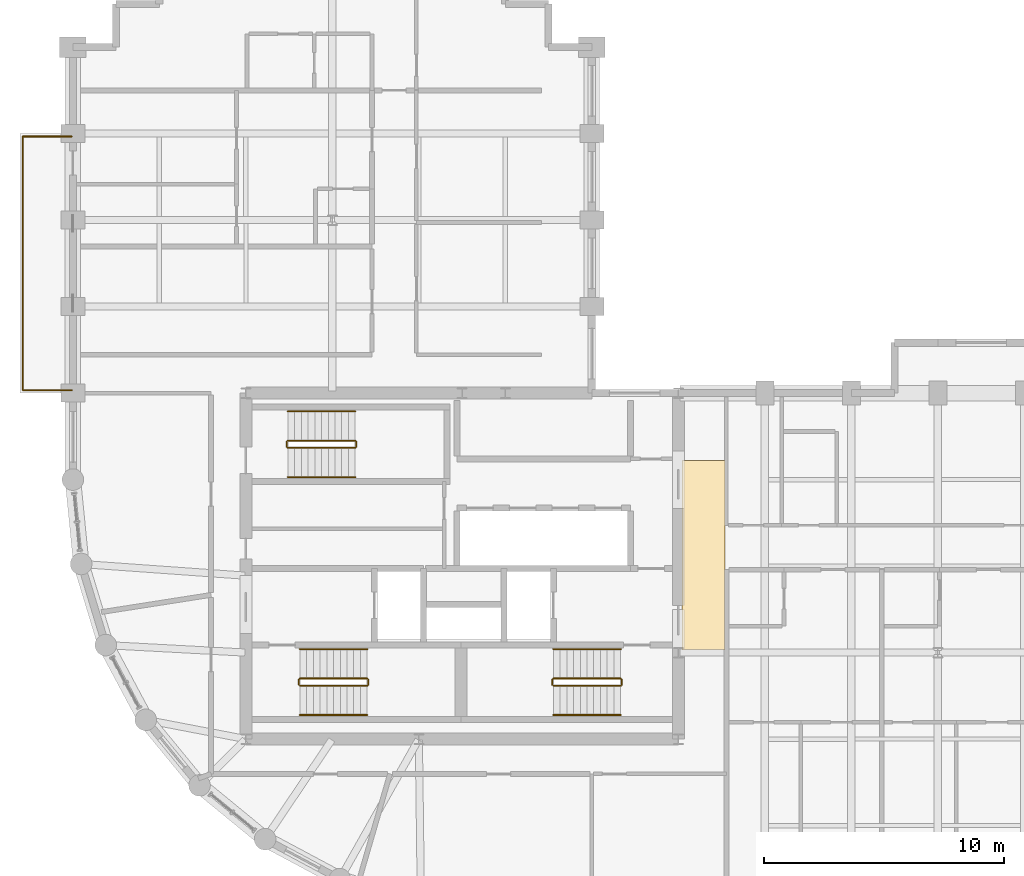
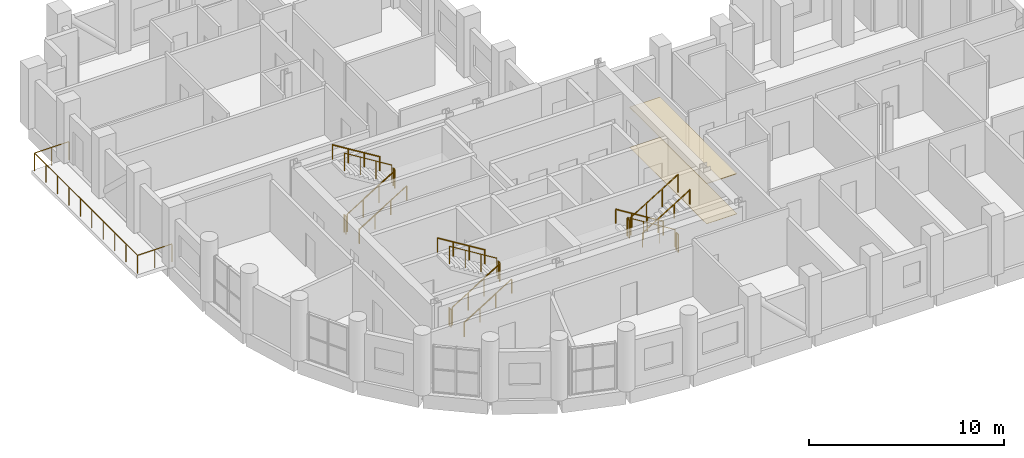
# One storey, part 15 of 15: 21 railings, 2 coverings.
"""IFC4 building model written with IfcOpenShell, lengths in metres."""

from ifc_helpers import new_model, si_unit, direction, frame, origin, origin_2d, place, context, subcontext, project, spatial, polyline, circle, outline, extrude, material, layer, layer_set, type_object, element, save


model = new_model("IFC4")

# Units and contexts
model_context = context("Model", 3, precision=1e-05, world=origin(), true_north=direction((0.0, 1.0)))
body_context = subcontext(model_context, "Body", "Model", "MODEL_VIEW")
ifc_project = project(units=[si_unit("LENGTHUNIT", "METRE"), si_unit("AREAUNIT", "SQUARE_METRE"), si_unit("VOLUMEUNIT", "CUBIC_METRE"), si_unit("PLANEANGLEUNIT", "RADIAN"), si_unit("MASSUNIT", "GRAM", prefix="KILO")], contexts=[model_context])

# Site, building, storey
site_placement = place(None, origin())
site = spatial("IfcSite", under=ifc_project, at=site_placement, CompositionType="ELEMENT")
building_placement = place(site_placement, origin())
building = spatial("IfcBuilding", under=site, at=building_placement, Name="Solnavia Interchange Tower", CompositionType="ELEMENT")
storey_placement = place(building_placement, frame((0.0, 0.0, 146.60009765625)))
storey = spatial("IfcBuildingStorey", under=building, at=storey_placement, Name="L36", CompositionType="ELEMENT", Elevation=146.60009765625)

# Coverings
ifc_material_1 = material(Name="Perforated Mineral-Fibre & Gypsum Ceiling", Category="gypsum")
ifc_layer_1 = layer(ifc_material_1, 0.0400390625)
ifc_layer_set_1 = layer_set([ifc_layer_1], Name="Perforated Mineral-Fibre & Gypsum Ceiling")
covering_type_1 = type_object("IfcCoveringType", Name="Covering-Ceiling-Acoustic40", PredefinedType="CEILING", material=ifc_layer_set_1)
covering_1_placement = place(storey_placement, frame((0.0, 0.0, 2.5)))
element("IfcCovering", 1, at=covering_1_placement, inside=storey, type_object=covering_type_1, Name="CLG-L36-01 Circulation suspended acoustic ceiling", PredefinedType="CEILING", context=body_context, shape_type="SweptSolid", body=[
    extrude(outline(polyline([(32.550048828125, 14.5), (34.35009765625, 14.5), (34.35009765625, 22.39990234375), (32.550048828125, 22.39990234375), (32.550048828125, 14.5)])), origin(), (0.0, 0.0, 1.0), 0.039794921875),
])
ifc_material_2 = material(Name="Engineered European Oak Flooring", Category="wood")
ifc_layer_2 = layer(ifc_material_2, 0.02001953125)
ifc_layer_set_2 = layer_set([ifc_layer_2], Name="Engineered European Oak Flooring")
covering_type_2 = type_object("IfcCoveringType", Name="Covering-Flooring-Timber20", PredefinedType="FLOORING", material=ifc_layer_set_2)
covering_2_placement = place(storey_placement, origin())
element("IfcCovering", 2, at=covering_2_placement, inside=storey, type_object=covering_type_2, Name="FLR-L36-01 Circulation floor finish", PredefinedType="FLOORING", context=body_context, shape_type="SweptSolid", body=[
    extrude(outline(polyline([(32.550048828125, 14.5), (34.35009765625, 14.5), (34.35009765625, 22.39990234375), (32.550048828125, 22.39990234375), (32.550048828125, 14.5)])), origin(), (0.0, 0.0, 1.0), 0.02001953125),
])

# Railings
ifc_material_3 = material(Name="Painted Steel Balustrade", Category="steel")
railing_type_1 = type_object("IfcRailingType", Name="Railing-StairGuard-1100", PredefinedType="GUARDRAIL", material=ifc_material_3)
railing_1_placement = place(storey_placement, frame((16.64990234375, 13.02001953125, 0.172607421875)))
element("IfcRailing", 3, at=railing_1_placement, inside=storey, type_object=railing_type_1, Name="L36 ST-1 stair guard 1", PredefinedType="GUARDRAIL", context=body_context, shape_type="SweptSolid", body=[
    extrude(circle(Radius=0.02392578125, at=origin_2d()), frame((0.0, 0.0, 1.09619140625), z_axis=(0.851089632645, 0.0, 0.525020415988), x_axis=(0.0, 1.0, 0.0)), (0.0, 0.0, 1.0), 3.2900390625),
    extrude(circle(Radius=0.02099609375, at=origin_2d()), origin(), (0.0, 0.0, 1.0), 1.072021484375),
    extrude(circle(Radius=0.02099609375, at=origin_2d()), frame((0.933349609375, 0.0, 0.57568359375)), (0.0, 0.0, 1.0), 1.072021484375),
    extrude(circle(Radius=0.02099609375, at=origin_2d()), frame((1.86669921875, 0.0, 1.151611328125)), (0.0, 0.0, 1.0), 1.072021484375),
    extrude(circle(Radius=0.02099609375, at=origin_2d()), frame((2.800048828125, 0.0, 1.727294921875)), (0.0, 0.0, 1.0), 1.072021484375),
])
railing_2_placement = place(storey_placement, frame((19.5, 13.070068359375, 1.89990234375)))
element("IfcRailing", 4, at=railing_2_placement, inside=storey, type_object=railing_type_1, Name="L36 ST-1 stair guard 2", PredefinedType="GUARDRAIL", context=body_context, shape_type="SweptSolid", body=[
    extrude(circle(Radius=0.02392578125, at=origin_2d()), frame((0.0, 0.0, 1.09619140625), z_axis=(0.0, 1.0, 0.0), x_axis=(-1.0, 0.0, 0.0)), (0.0, 0.0, 1.0), 0.199951171875),
    extrude(circle(Radius=0.02099609375, at=origin_2d()), origin(), (0.0, 0.0, 1.0), 1.072021484375),
    extrude(circle(Radius=0.02099609375, at=origin_2d()), frame((0.0, 0.199951171875, 0.0)), (0.0, 0.0, 1.0), 1.072021484375),
])
railing_3_placement = place(storey_placement, frame((19.449951171875, 13.320068359375, 2.072509765625)))
element("IfcRailing", 5, at=railing_3_placement, inside=storey, type_object=railing_type_1, Name="L36 ST-1 stair guard 3", PredefinedType="GUARDRAIL", context=body_context, shape_type="SweptSolid", body=[
    extrude(circle(Radius=0.02392578125, at=origin_2d()), frame((0.0, 0.0, 1.09619140625), z_axis=(-0.851089632645, 0.0, 0.525020415988), x_axis=(0.0, -1.0, 0.0)), (0.0, 0.0, 1.0), 3.2900390625),
    extrude(circle(Radius=0.02099609375, at=origin_2d()), origin(), (0.0, 0.0, 1.0), 1.072021484375),
    extrude(circle(Radius=0.02099609375, at=origin_2d()), frame((-0.933349609375, 0.0, 0.57568359375)), (0.0, 0.0, 1.0), 1.072021484375),
    extrude(circle(Radius=0.02099609375, at=origin_2d()), frame((-1.86669921875, 0.0, 1.151611328125)), (0.0, 0.0, 1.0), 1.072021484375),
    extrude(circle(Radius=0.02099609375, at=origin_2d()), frame((-2.800048828125, 0.0, 1.727294921875)), (0.0, 0.0, 1.0), 1.072021484375),
])
railing_4_placement = place(storey_placement, frame((16.60009765625, 13.070068359375, 0.0)))
element("IfcRailing", 6, at=railing_4_placement, inside=storey, type_object=railing_type_1, Name="L36 ST-1 stair guard 4", PredefinedType="GUARDRAIL", context=body_context, shape_type="SweptSolid", body=[
    extrude(circle(Radius=0.02392578125, at=origin_2d()), frame((0.0, 0.0, 1.09619140625), z_axis=(0.0, 1.0, 0.0), x_axis=(-1.0, 0.0, 0.0)), (0.0, 0.0, 1.0), 0.199951171875),
    extrude(circle(Radius=0.02099609375, at=origin_2d()), origin(), (0.0, 0.0, 1.0), 1.072021484375),
    extrude(circle(Radius=0.02099609375, at=origin_2d()), frame((0.0, 0.199951171875, 0.0)), (0.0, 0.0, 1.0), 1.072021484375),
])
railing_5_placement = place(storey_placement, frame((30.0, 13.320068359375, 0.172607421875)))
element("IfcRailing", 7, at=railing_5_placement, inside=storey, type_object=railing_type_1, Name="L36 ST-2 stair guard 1", PredefinedType="GUARDRAIL", context=body_context, shape_type="SweptSolid", body=[
    extrude(circle(Radius=0.02392578125, at=origin_2d()), frame((0.0, 0.0, 1.09619140625), z_axis=(-0.851089632645, 0.0, 0.525020415988), x_axis=(0.0, -1.0, 0.0)), (0.0, 0.0, 1.0), 3.2900390625),
    extrude(circle(Radius=0.02099609375, at=origin_2d()), origin(), (0.0, 0.0, 1.0), 1.072021484375),
    extrude(circle(Radius=0.02099609375, at=origin_2d()), frame((-0.933349609375, 0.0, 0.57568359375)), (0.0, 0.0, 1.0), 1.072021484375),
    extrude(circle(Radius=0.02099609375, at=origin_2d()), frame((-1.86669921875, 0.0, 1.151611328125)), (0.0, 0.0, 1.0), 1.072021484375),
    extrude(circle(Radius=0.02099609375, at=origin_2d()), frame((-2.800048828125, 0.0, 1.727294921875)), (0.0, 0.0, 1.0), 1.072021484375),
])
railing_6_placement = place(storey_placement, frame((27.14990234375, 13.27001953125, 1.89990234375)))
element("IfcRailing", 8, at=railing_6_placement, inside=storey, type_object=railing_type_1, Name="L36 ST-2 stair guard 2", PredefinedType="GUARDRAIL", context=body_context, shape_type="SweptSolid", body=[
    extrude(circle(Radius=0.02392578125, at=origin_2d()), frame((0.0, 0.0, 1.09619140625), z_axis=(0.0, -1.0, 0.0), x_axis=(1.0, 0.0, 0.0)), (0.0, 0.0, 1.0), 0.199951171875),
    extrude(circle(Radius=0.02099609375, at=origin_2d()), origin(), (0.0, 0.0, 1.0), 1.072021484375),
    extrude(circle(Radius=0.02099609375, at=origin_2d()), frame((0.0, -0.199951171875, 0.0)), (0.0, 0.0, 1.0), 1.072021484375),
])
railing_7_placement = place(storey_placement, frame((27.199951171875, 13.02001953125, 2.072509765625)))
element("IfcRailing", 9, at=railing_7_placement, inside=storey, type_object=railing_type_1, Name="L36 ST-2 stair guard 3", PredefinedType="GUARDRAIL", context=body_context, shape_type="SweptSolid", body=[
    extrude(circle(Radius=0.02392578125, at=origin_2d()), frame((0.0, 0.0, 1.09619140625), z_axis=(0.851089632645, 0.0, 0.525020415988), x_axis=(0.0, 1.0, 0.0)), (0.0, 0.0, 1.0), 3.2900390625),
    extrude(circle(Radius=0.02099609375, at=origin_2d()), origin(), (0.0, 0.0, 1.0), 1.072021484375),
    extrude(circle(Radius=0.02099609375, at=origin_2d()), frame((0.933349609375, 0.0, 0.57568359375)), (0.0, 0.0, 1.0), 1.072021484375),
    extrude(circle(Radius=0.02099609375, at=origin_2d()), frame((1.86669921875, 0.0, 1.151611328125)), (0.0, 0.0, 1.0), 1.072021484375),
    extrude(circle(Radius=0.02099609375, at=origin_2d()), frame((2.800048828125, 0.0, 1.727294921875)), (0.0, 0.0, 1.0), 1.072021484375),
])
railing_8_placement = place(storey_placement, frame((30.050048828125, 13.27001953125, 0.0)))
element("IfcRailing", 10, at=railing_8_placement, inside=storey, type_object=railing_type_1, Name="L36 ST-2 stair guard 4", PredefinedType="GUARDRAIL", context=body_context, shape_type="SweptSolid", body=[
    extrude(circle(Radius=0.02392578125, at=origin_2d()), frame((0.0, 0.0, 1.09619140625), z_axis=(0.0, -1.0, 0.0), x_axis=(1.0, 0.0, 0.0)), (0.0, 0.0, 1.0), 0.199951171875),
    extrude(circle(Radius=0.02099609375, at=origin_2d()), origin(), (0.0, 0.0, 1.0), 1.072021484375),
    extrude(circle(Radius=0.02099609375, at=origin_2d()), frame((0.0, -0.199951171875, 0.0)), (0.0, 0.0, 1.0), 1.072021484375),
])
railing_9_placement = place(storey_placement, frame((16.14990234375, 22.919921875, 0.172607421875)))
element("IfcRailing", 11, at=railing_9_placement, inside=storey, type_object=railing_type_1, Name="L36 ST-3 stair guard 1", PredefinedType="GUARDRAIL", context=body_context, shape_type="SweptSolid", body=[
    extrude(circle(Radius=0.02392578125, at=origin_2d()), frame((0.0, 0.0, 1.09619140625), z_axis=(0.851089632645, 0.0, 0.525020415988), x_axis=(0.0, 1.0, 0.0)), (0.0, 0.0, 1.0), 3.2900390625),
    extrude(circle(Radius=0.02099609375, at=origin_2d()), origin(), (0.0, 0.0, 1.0), 1.072021484375),
    extrude(circle(Radius=0.02099609375, at=origin_2d()), frame((0.933349609375, 0.0, 0.57568359375)), (0.0, 0.0, 1.0), 1.072021484375),
    extrude(circle(Radius=0.02099609375, at=origin_2d()), frame((1.86669921875, 0.0, 1.151611328125)), (0.0, 0.0, 1.0), 1.072021484375),
    extrude(circle(Radius=0.02099609375, at=origin_2d()), frame((2.800048828125, 0.0, 1.727294921875)), (0.0, 0.0, 1.0), 1.072021484375),
])
railing_10_placement = place(storey_placement, frame((19.0, 22.969970703125, 1.89990234375)))
element("IfcRailing", 12, at=railing_10_placement, inside=storey, type_object=railing_type_1, Name="L36 ST-3 stair guard 2", PredefinedType="GUARDRAIL", context=body_context, shape_type="SweptSolid", body=[
    extrude(circle(Radius=0.02392578125, at=origin_2d()), frame((0.0, 0.0, 1.09619140625), z_axis=(0.0, 1.0, 0.0), x_axis=(-1.0, 0.0, 0.0)), (0.0, 0.0, 1.0), 0.199951171875),
    extrude(circle(Radius=0.02099609375, at=origin_2d()), origin(), (0.0, 0.0, 1.0), 1.072021484375),
    extrude(circle(Radius=0.02099609375, at=origin_2d()), frame((0.0, 0.199951171875, 0.0)), (0.0, 0.0, 1.0), 1.072021484375),
])
railing_11_placement = place(storey_placement, frame((18.949951171875, 23.219970703125, 2.072509765625)))
element("IfcRailing", 13, at=railing_11_placement, inside=storey, type_object=railing_type_1, Name="L36 ST-3 stair guard 3", PredefinedType="GUARDRAIL", context=body_context, shape_type="SweptSolid", body=[
    extrude(circle(Radius=0.02392578125, at=origin_2d()), frame((0.0, 0.0, 1.09619140625), z_axis=(-0.851089632645, 0.0, 0.525020415988), x_axis=(0.0, -1.0, 0.0)), (0.0, 0.0, 1.0), 3.2900390625),
    extrude(circle(Radius=0.02099609375, at=origin_2d()), origin(), (0.0, 0.0, 1.0), 1.072021484375),
    extrude(circle(Radius=0.02099609375, at=origin_2d()), frame((-0.933349609375, 0.0, 0.57568359375)), (0.0, 0.0, 1.0), 1.072021484375),
    extrude(circle(Radius=0.02099609375, at=origin_2d()), frame((-1.86669921875, 0.0, 1.151611328125)), (0.0, 0.0, 1.0), 1.072021484375),
    extrude(circle(Radius=0.02099609375, at=origin_2d()), frame((-2.800048828125, 0.0, 1.727294921875)), (0.0, 0.0, 1.0), 1.072021484375),
])
railing_12_placement = place(storey_placement, frame((16.10009765625, 22.969970703125, 0.0)))
element("IfcRailing", 14, at=railing_12_placement, inside=storey, type_object=railing_type_1, Name="L36 ST-3 stair guard 4", PredefinedType="GUARDRAIL", context=body_context, shape_type="SweptSolid", body=[
    extrude(circle(Radius=0.02392578125, at=origin_2d()), frame((0.0, 0.0, 1.09619140625), z_axis=(0.0, 1.0, 0.0), x_axis=(-1.0, 0.0, 0.0)), (0.0, 0.0, 1.0), 0.199951171875),
    extrude(circle(Radius=0.02099609375, at=origin_2d()), origin(), (0.0, 0.0, 1.0), 1.072021484375),
    extrude(circle(Radius=0.02099609375, at=origin_2d()), frame((0.0, 0.199951171875, 0.0)), (0.0, 0.0, 1.0), 1.072021484375),
])
ifc_material_4 = material(Name="Brushed Stainless Steel", Category="steel")
railing_type_2 = type_object("IfcRailingType", Name="Railing-StairHandrail-900", PredefinedType="HANDRAIL", material=ifc_material_4)
railing_13_placement = place(storey_placement, frame((16.64990234375, 11.800048828125, 0.172607421875)))
element("IfcRailing", 15, at=railing_13_placement, inside=storey, type_object=railing_type_2, Name="L36 ST-1 stair handrail 1", PredefinedType="HANDRAIL", context=body_context, shape_type="SweptSolid", body=[
    extrude(circle(Radius=0.02392578125, at=origin_2d()), frame((0.0, 0.0, 0.8759765625), z_axis=(0.851089632645, 0.0, 0.525020415988), x_axis=(0.0, 1.0, 0.0)), (0.0, 0.0, 1.0), 3.2900390625),
    extrude(circle(Radius=0.02099609375, at=origin_2d()), origin(), (0.0, 0.0, 1.0), 0.851806640625),
    extrude(circle(Radius=0.02099609375, at=origin_2d()), frame((0.933349609375, 0.0, 0.57568359375)), (0.0, 0.0, 1.0), 0.851806640625),
    extrude(circle(Radius=0.02099609375, at=origin_2d()), frame((1.86669921875, 0.0, 1.151611328125)), (0.0, 0.0, 1.0), 0.851806640625),
    extrude(circle(Radius=0.02099609375, at=origin_2d()), frame((2.800048828125, 0.0, 1.727294921875)), (0.0, 0.0, 1.0), 0.851806640625),
])
for number, where, name in (
    (16, (19.449951171875, 14.5400390625, 2.072509765625), "L36 ST-1 stair handrail 2"),
    (17, (30.0, 14.5400390625, 0.172607421875), "L36 ST-2 stair handrail 1"),
):
    element("IfcRailing", number, at=place(storey_placement, frame(where)), inside=storey, type_object=railing_type_2, Name=name, PredefinedType="HANDRAIL", context=body_context, shape_type="SweptSolid", body=[
        extrude(circle(Radius=0.02392578125, at=origin_2d()), frame((0.0, 0.0, 0.8759765625), z_axis=(-0.851089632645, 0.0, 0.525020415988), x_axis=(0.0, -1.0, 0.0)), (0.0, 0.0, 1.0), 3.2900390625),
        extrude(circle(Radius=0.02099609375, at=origin_2d()), origin(), (0.0, 0.0, 1.0), 0.851806640625),
        extrude(circle(Radius=0.02099609375, at=origin_2d()), frame((-0.933349609375, 0.0, 0.57568359375)), (0.0, 0.0, 1.0), 0.851806640625),
        extrude(circle(Radius=0.02099609375, at=origin_2d()), frame((-1.86669921875, 0.0, 1.151611328125)), (0.0, 0.0, 1.0), 0.851806640625),
        extrude(circle(Radius=0.02099609375, at=origin_2d()), frame((-2.800048828125, 0.0, 1.727294921875)), (0.0, 0.0, 1.0), 0.851806640625),
    ])
for number, where, name in (
    (18, (27.199951171875, 11.800048828125, 2.072509765625), "L36 ST-2 stair handrail 2"),
    (19, (16.14990234375, 21.699951171875, 0.172607421875), "L36 ST-3 stair handrail 1"),
):
    element("IfcRailing", number, at=place(storey_placement, frame(where)), inside=storey, type_object=railing_type_2, Name=name, PredefinedType="HANDRAIL", context=body_context, shape_type="SweptSolid", body=[
        extrude(circle(Radius=0.02392578125, at=origin_2d()), frame((0.0, 0.0, 0.8759765625), z_axis=(0.851089632645, 0.0, 0.525020415988), x_axis=(0.0, 1.0, 0.0)), (0.0, 0.0, 1.0), 3.2900390625),
        extrude(circle(Radius=0.02099609375, at=origin_2d()), origin(), (0.0, 0.0, 1.0), 0.851806640625),
        extrude(circle(Radius=0.02099609375, at=origin_2d()), frame((0.933349609375, 0.0, 0.57568359375)), (0.0, 0.0, 1.0), 0.851806640625),
        extrude(circle(Radius=0.02099609375, at=origin_2d()), frame((1.86669921875, 0.0, 1.151611328125)), (0.0, 0.0, 1.0), 0.851806640625),
        extrude(circle(Radius=0.02099609375, at=origin_2d()), frame((2.800048828125, 0.0, 1.727294921875)), (0.0, 0.0, 1.0), 0.851806640625),
    ])
railing_14_placement = place(storey_placement, frame((18.949951171875, 24.43994140625, 2.072509765625)))
element("IfcRailing", 20, at=railing_14_placement, inside=storey, type_object=railing_type_2, Name="L36 ST-3 stair handrail 2", PredefinedType="HANDRAIL", context=body_context, shape_type="SweptSolid", body=[
    extrude(circle(Radius=0.02392578125, at=origin_2d()), frame((0.0, 0.0, 0.8759765625), z_axis=(-0.851089632645, 0.0, 0.525020415988), x_axis=(0.0, -1.0, 0.0)), (0.0, 0.0, 1.0), 3.2900390625),
    extrude(circle(Radius=0.02099609375, at=origin_2d()), origin(), (0.0, 0.0, 1.0), 0.851806640625),
    extrude(circle(Radius=0.02099609375, at=origin_2d()), frame((-0.933349609375, 0.0, 0.57568359375)), (0.0, 0.0, 1.0), 0.851806640625),
    extrude(circle(Radius=0.02099609375, at=origin_2d()), frame((-1.86669921875, 0.0, 1.151611328125)), (0.0, 0.0, 1.0), 0.851806640625),
    extrude(circle(Radius=0.02099609375, at=origin_2d()), frame((-2.800048828125, 0.0, 1.727294921875)), (0.0, 0.0, 1.0), 0.851806640625),
])
ifc_material_5 = material(Name="Laminated Safety Glass & Stainless Steel", Category="steel")
railing_type_3 = type_object("IfcRailingType", Name="Railing-TerraceGuard-1150", PredefinedType="GUARDRAIL", material=ifc_material_5)
railing_15_placement = place(storey_placement, frame((7.14990234375, 25.320068359375, -0.0400390625)))
element("IfcRailing", 21, at=railing_15_placement, inside=storey, type_object=railing_type_3, Name="GRD-L36-TER-01 Perimeter terrace guardrail", PredefinedType="GUARDRAIL", context=body_context, shape_type="SweptSolid", body=[
    extrude(circle(Radius=0.02392578125, at=origin_2d()), frame((0.0, 0.0, 1.1259765625), z_axis=(-1.0, 0.0, 0.0), x_axis=(0.0, -1.0, 0.0)), (0.0, 0.0, 1.0), 2.02978515625),
    extrude(circle(Radius=0.02099609375, at=origin_2d()), origin(), (0.0, 0.0, 1.0), 1.101806640625),
    extrude(circle(Radius=0.02099609375, at=origin_2d()), frame((-1.014892578125, 0.0, 0.0)), (0.0, 0.0, 1.0), 1.101806640625),
    extrude(circle(Radius=0.02099609375, at=origin_2d()), frame((-2.02978515625, 0.0, 0.0)), (0.0, 0.0, 1.0), 1.101806640625),
])
railing_16_placement = place(storey_placement, frame((5.1201171875, 25.320068359375, -0.0400390625)))
element("IfcRailing", 22, at=railing_16_placement, inside=storey, type_object=railing_type_3, Name="GRD-L36-TER-02 Perimeter terrace guardrail", PredefinedType="GUARDRAIL", context=body_context, shape_type="SweptSolid", body=[
    extrude(circle(Radius=0.02392578125, at=origin_2d()), frame((0.0, 0.0, 1.1259765625), z_axis=(0.0, 1.0, 0.0), x_axis=(-1.0, 0.0, 0.0)), (0.0, 0.0, 1.0), 10.559814453125),
    extrude(circle(Radius=0.02099609375, at=origin_2d()), origin(), (0.0, 0.0, 1.0), 1.101806640625),
    extrude(circle(Radius=0.02099609375, at=origin_2d()), frame((0.0, 1.17333984375, 0.0)), (0.0, 0.0, 1.0), 1.101806640625),
    extrude(circle(Radius=0.02099609375, at=origin_2d()), frame((0.0, 2.3466796875, 0.0)), (0.0, 0.0, 1.0), 1.101806640625),
    extrude(circle(Radius=0.02099609375, at=origin_2d()), frame((0.0, 3.52001953125, 0.0)), (0.0, 0.0, 1.0), 1.101806640625),
    extrude(circle(Radius=0.02099609375, at=origin_2d()), frame((0.0, 4.693359375, 0.0)), (0.0, 0.0, 1.0), 1.101806640625),
    extrude(circle(Radius=0.02099609375, at=origin_2d()), frame((0.0, 5.866455078125, 0.0)), (0.0, 0.0, 1.0), 1.101806640625),
    extrude(circle(Radius=0.02099609375, at=origin_2d()), frame((0.0, 7.039794921875, 0.0)), (0.0, 0.0, 1.0), 1.101806640625),
    extrude(circle(Radius=0.02099609375, at=origin_2d()), frame((0.0, 8.213134765625, 0.0)), (0.0, 0.0, 1.0), 1.101806640625),
    extrude(circle(Radius=0.02099609375, at=origin_2d()), frame((0.0, 9.386474609375, 0.0)), (0.0, 0.0, 1.0), 1.101806640625),
    extrude(circle(Radius=0.02099609375, at=origin_2d()), frame((0.0, 10.559814453125, 0.0)), (0.0, 0.0, 1.0), 1.101806640625),
])
railing_17_placement = place(storey_placement, frame((5.1201171875, 35.8798828125, -0.0400390625)))
element("IfcRailing", 23, at=railing_17_placement, inside=storey, type_object=railing_type_3, Name="GRD-L36-TER-03 Perimeter terrace guardrail", PredefinedType="GUARDRAIL", context=body_context, shape_type="SweptSolid", body=[
    extrude(circle(Radius=0.02392578125, at=origin_2d()), frame((0.0, 0.0, 1.1259765625), z_axis=(1.0, 0.0, 0.0), x_axis=(0.0, 1.0, 0.0)), (0.0, 0.0, 1.0), 2.02978515625),
    extrude(circle(Radius=0.02099609375, at=origin_2d()), origin(), (0.0, 0.0, 1.0), 1.101806640625),
    extrude(circle(Radius=0.02099609375, at=origin_2d()), frame((1.014892578125, 0.0, 0.0)), (0.0, 0.0, 1.0), 1.101806640625),
    extrude(circle(Radius=0.02099609375, at=origin_2d()), frame((2.02978515625, 0.0, 0.0)), (0.0, 0.0, 1.0), 1.101806640625),
])

save(model, "model.ifc")
